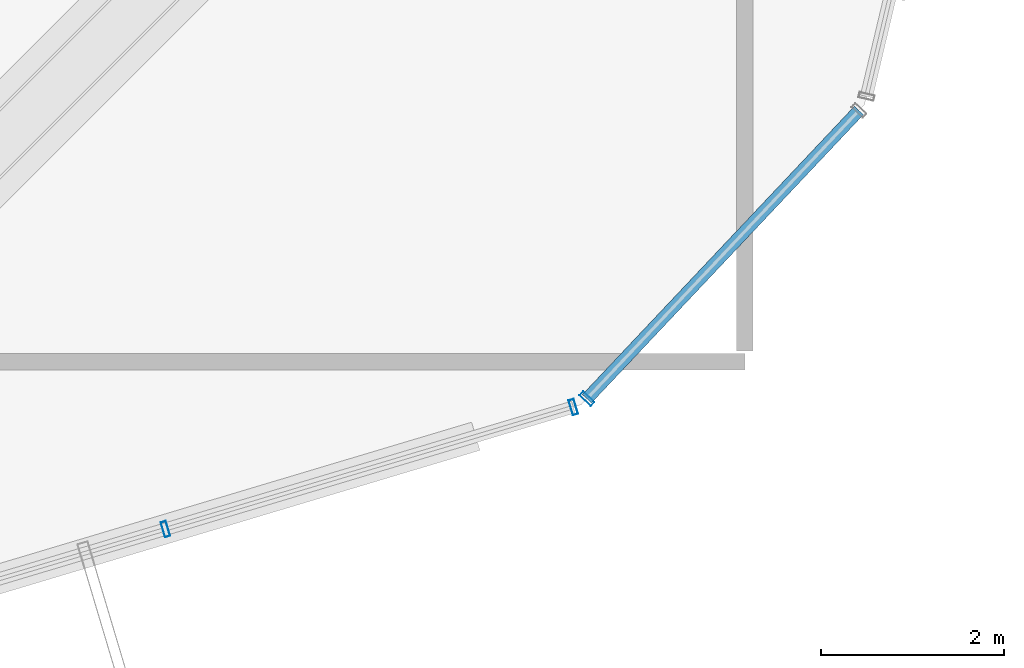
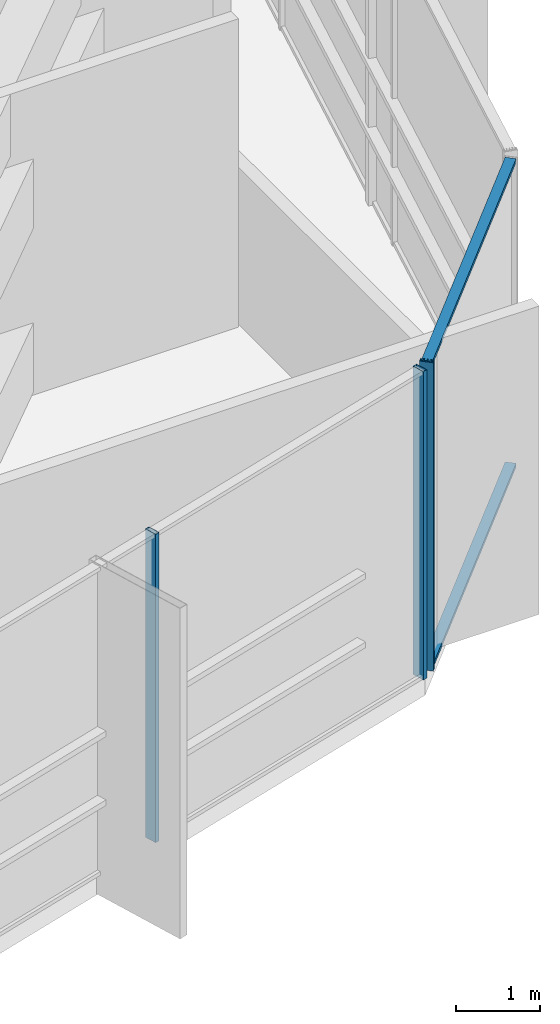
# One storey, part 14 of 41: 5 members, 2 elements without a shape of their own.
"""IFC4 building model written with IfcOpenShell, lengths in metres."""

from ifc_helpers import new_model, si_unit, direction, frame, origin, origin_2d, place, context, subcontext, project, spatial, hollow_rectangle, extrude, source, transform, mapped, material, layer, layer_set, material_profile, profile_set, type_object, element, aggregate, save


model = new_model("IFC4")

# Units and contexts
model_context = context("Model", 3, precision=1e-05, world=origin(), true_north=direction((0.0, 1.0)))
body_context = subcontext(model_context, "Body", "Model", "MODEL_VIEW")
ifc_project = project(units=[si_unit("LENGTHUNIT", "METRE"), si_unit("AREAUNIT", "SQUARE_METRE"), si_unit("VOLUMEUNIT", "CUBIC_METRE"), si_unit("PLANEANGLEUNIT", "RADIAN"), si_unit("MASSUNIT", "GRAM", prefix="KILO")], contexts=[model_context])

# Site, building, storey
site_placement = place(None, origin())
site = spatial("IfcSite", under=ifc_project, at=site_placement, CompositionType="ELEMENT")
building_placement = place(site_placement, origin())
building = spatial("IfcBuilding", under=site, at=building_placement, Name="Veraguas Prism Commons", CompositionType="ELEMENT")
storey_placement = place(building_placement, frame((0.0, 0.0, 80.35009765625)))
storey = spatial("IfcBuildingStorey", under=building, at=storey_placement, Name="L22", CompositionType="ELEMENT", Elevation=80.35009765625)

# Curtain wall, members
ifc_material = material(Name="Anodised aluminium EN AW-6063 T6", Category="aluminium")
ifc_layer = layer(ifc_material, 0.169921875, Name="Unitised Flush Curtain Wall Zone 1", Category="aluminium")
ifc_layer_set = layer_set([ifc_layer], Name="Anodised aluminium EN AW-6063 T6")
curtain_wall_type = type_object("IfcCurtainWallType", Name="Unitised Flush Curtain Wall Zone 1", PredefinedType="NOTDEFINED", material=ifc_layer_set)
curtain_wall_1_placement = place(storey_placement, origin())
curtain_wall_1 = element("IfcCurtainWall", 1, at=curtain_wall_1_placement, inside=storey, type_object=curtain_wall_type, Name="Chamfer Curtain Wall L22-C6", PredefinedType="NOTDEFINED")
ifc_material_profile_1 = material_profile(ifc_material, hollow_rectangle(XDim=0.054931640625, YDim=0.135009765625, WallThickness=0.0029296875, at=origin_2d()), Name="AL55X135X3")
ifc_profile_set_1 = profile_set([ifc_material_profile_1], Name="Anodised aluminium EN AW-6063 T6")
member_type_1 = type_object("IfcMemberType", Name="Curtain Wall Transom Standard AL 55x135x3", PredefinedType="USERDEFINED", material=ifc_profile_set_1)
shared_shape_1 = source(origin(), body_context, "Body", "SweptSolid", [
    extrude(hollow_rectangle(XDim=0.054931640625, YDim=0.135009765625, WallThickness=0.0029296875, at=origin_2d()), origin(), (0.0, 0.0, 1.0), 4.320068359375),
])
member_1_placement = place(storey_placement, frame((39.02783203125, 6.8486328125, 0.02734375), z_axis=(0.686294894111, 0.727323393215, 0.0), x_axis=(0.0, 0.0, 1.0)))
member_1 = element("IfcMember", 2, at=member_1_placement, type_object=member_type_1, Name="CW-Z1 Transom 1", ObjectType="TRANSOM", PredefinedType="USERDEFINED", context=body_context, shape_type="MappedRepresentation", body=[
    mapped(shared_shape_1, transform((0.0, 0.0, 0.0), scale=1.0)),
])
member_2_placement = place(storey_placement, frame((39.02783203125, 6.8486328125, 4.452392578125), z_axis=(0.686294894111, 0.727323393215, 0.0), x_axis=(0.0, 0.0, 1.0)))
member_2 = element("IfcMember", 3, at=member_2_placement, type_object=member_type_1, Name="CW-Z1 Transom 2", ObjectType="TRANSOM", PredefinedType="USERDEFINED", context=body_context, shape_type="MappedRepresentation", body=[
    mapped(shared_shape_1, transform((0.0, 0.0, 0.0), scale=1.0)),
])

curtain_wall_2_placement = place(storey_placement, origin())
curtain_wall_2 = element("IfcCurtainWall", 4, at=curtain_wall_2_placement, inside=storey, type_object=curtain_wall_type, Name="Tower Facade Curtain Wall L22-F5", PredefinedType="NOTDEFINED")
ifc_material_profile_2 = material_profile(ifc_material, hollow_rectangle(XDim=0.06005859375, YDim=0.169921875, WallThickness=0.00390625, at=origin_2d()), Name="AL60X170X4")
ifc_profile_set_2 = profile_set([ifc_material_profile_2], Name="Anodised aluminium EN AW-6063 T6")
member_type_2 = type_object("IfcMemberType", Name="Curtain Wall Mullion Lower AL 60x170x4", PredefinedType="MULLION", material=ifc_profile_set_2)
shared_shape_2 = source(origin(), body_context, "Body", "SweptSolid", [
    extrude(hollow_rectangle(XDim=0.06005859375, YDim=0.169921875, WallThickness=0.00390625, at=origin_2d()), origin(), (0.0, 0.0, 1.0), 4.47998046875),
])
member_3_placement = place(storey_placement, frame((34.43359375, 5.427001953125, 0.0), z_axis=(0.0, 0.0, 1.0), x_axis=(0.958022876902, 0.286691763629, 0.0)))
member_3 = element("IfcMember", 5, at=member_3_placement, type_object=member_type_2, Name="CW-Z1 Mullion 4", PredefinedType="MULLION", context=body_context, shape_type="MappedRepresentation", body=[
    mapped(shared_shape_2, transform((0.0, 0.0, 0.0), scale=1.0)),
])
member_4_placement = place(storey_placement, frame((38.879638671875, 6.757568359375, 0.0), z_axis=(0.0, 0.0, 1.0), x_axis=(0.958022876902, 0.286691763629, 0.0)))
member_4 = element("IfcMember", 6, at=member_4_placement, type_object=member_type_2, Name="CW-Z1 Mullion 5", PredefinedType="MULLION", context=body_context, shape_type="MappedRepresentation", body=[
    mapped(shared_shape_2, transform((0.0, 0.0, 0.0), scale=1.0)),
])
aggregate(curtain_wall_2, [member_3, member_4])

# Member
member_5_placement = place(storey_placement, frame((39.02783203125, 6.8486328125, 0.0), z_axis=(0.0, 0.0, 1.0), x_axis=(0.686318650749, 0.727300975961, 0.0)))
member_5 = element("IfcMember", 7, at=member_5_placement, type_object=member_type_2, Name="CW-Z1 Mullion 1", PredefinedType="MULLION", context=body_context, shape_type="MappedRepresentation", body=[
    mapped(shared_shape_2, transform((0.0, 0.0, 0.0), scale=1.0)),
])

aggregate(curtain_wall_1, [member_5, member_1, member_2])

save(model, "model.ifc")
